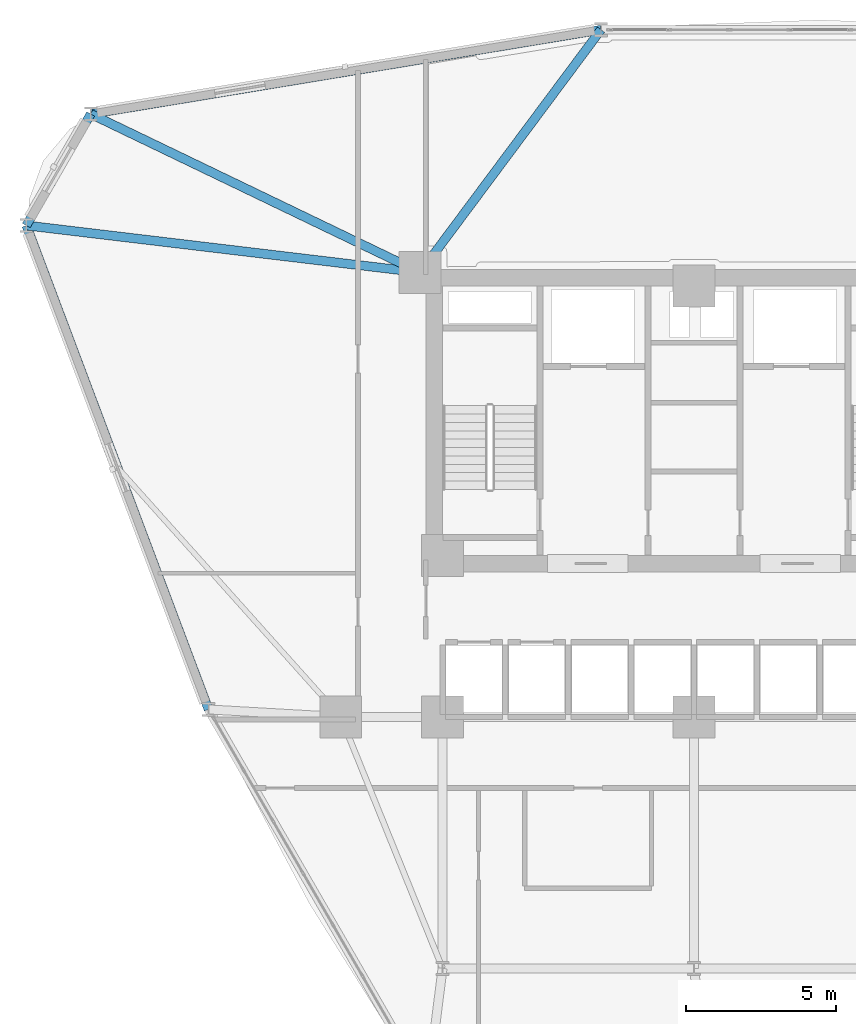
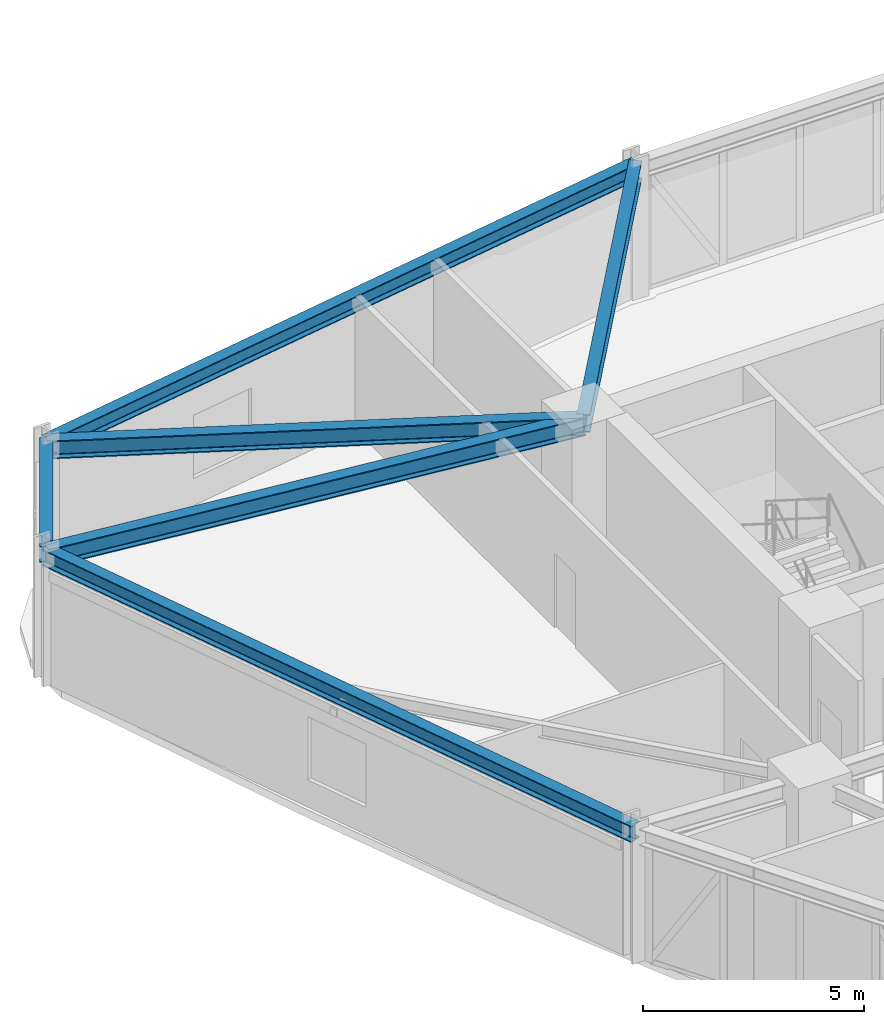
# One storey, part 9 of 20: 6 beams.
"""IFC4 building model written with IfcOpenShell, lengths in metres."""

import ifcopenshell
import ifcopenshell.guid

model = None  # the IFC model being written
_history = None  # IfcOwnerHistory: only IFC2X3 demands one
_inside = {}  # id of a spatial element -> (the spatial element, [elements in it])
_under = {}  # id of a project, library or spatial element -> (it, [spatial elements below it])
_declared = {}  # id of a project -> (the project, [libraries it declares])
_typed = {}  # id of a type object -> (the type object, [elements of that type])
_made_of = {}  # id of a material, layer set ... -> (it, [elements and type objects made of it])


def new_model(schema):
    """Start an empty IFC model of exactly this schema.

    Asked for "IFC4X3", IfcOpenShell would pick the latest addendum, in which some entities
    have other attributes; the version numbers below select the first issue.
    IFC2X3 requires an IfcOwnerHistory on every rooted entity: one is made here for all.
    """
    global model, _history
    if schema == "IFC4X3":
        model = ifcopenshell.file(schema_version=(4, 3, 0, 0))
    else:
        model = ifcopenshell.file(schema=schema)
    _inside.clear()
    _under.clear()
    _declared.clear()
    _typed.clear()
    _made_of.clear()
    _history = None
    if model.schema == "IFC2X3":
        org = make("IfcOrganization", Name="unknown")
        user = make(
            "IfcPersonAndOrganization",
            ThePerson=make("IfcPerson", FamilyName="unknown"),
            TheOrganization=org,
        )
        app = make(
            "IfcApplication",
            ApplicationDeveloper=org,
            Version="unknown",
            ApplicationFullName="unknown",
            ApplicationIdentifier="unknown",
        )
        _history = make(
            "IfcOwnerHistory",
            OwningUser=user,
            OwningApplication=app,
            ChangeAction="ADDED",
            CreationDate=0,
        )
    return model


def make(cls, **values):
    """One entity of the class cls with the attributes given. An attribute that is None is left unset."""
    return model.create_entity(
        cls, **{name: value for name, value in values.items() if value is not None}
    )


def rooted(cls, **values):
    """An entity with a GlobalId (a new one), such as an element, a storey or a relation."""
    return make(cls, GlobalId=ifcopenshell.guid.new(), OwnerHistory=_history, **values)


def si_unit(unit_type, name, prefix=None):
    """IfcSIUnit, for example si_unit("LENGTHUNIT", "METRE", prefix="MILLI")."""
    return make("IfcSIUnit", UnitType=unit_type, Prefix=prefix, Name=name)


def derived_unit(unit_type, elements):
    """IfcDerivedUnit: a product of units, each with its exponent."""
    return make(
        "IfcDerivedUnit",
        Elements=[
            make("IfcDerivedUnitElement", Unit=unit, Exponent=power)
            for unit, power in elements
        ],
        UnitType=unit_type,
    )


def assignment(units):
    """IfcUnitAssignment: the units of a project."""
    return None if units is None else make("IfcUnitAssignment", Units=units)


def point(xyz):
    """IfcCartesianPoint."""
    return None if xyz is None else make("IfcCartesianPoint", Coordinates=xyz)


def direction(xyz):
    """IfcDirection."""
    return None if xyz is None else make("IfcDirection", DirectionRatios=xyz)


def frame(location, z_axis=None, x_axis=None):
    """IfcAxis2Placement3D, a coordinate frame: its origin and axes. An axis left out is left unset."""
    return make(
        "IfcAxis2Placement3D",
        Location=point(location),
        Axis=direction(z_axis),
        RefDirection=direction(x_axis),
    )


def frame_2d(location, x_axis=None):
    """IfcAxis2Placement2D, a coordinate frame in the plane: its origin and x axis."""
    return make(
        "IfcAxis2Placement2D", Location=point(location), RefDirection=direction(x_axis)
    )


def origin():
    """The frame at (0, 0, 0) with its axes left unset."""
    return frame((0.0, 0.0, 0.0))


def origin_2d():
    """The frame at (0, 0) in the plane with its x axis left unset."""
    return frame_2d((0.0, 0.0))


def place(relative_to, where):
    """IfcLocalPlacement: puts the frame where relative to a parent placement (None: the world)."""
    return make(
        "IfcLocalPlacement", PlacementRelTo=relative_to, RelativePlacement=where
    )


def context(
    kind, dimensions, precision=None, world=None, true_north=None, identifier=None
):
    """IfcGeometricRepresentationContext, for example the 3D "Model" context."""
    return make(
        "IfcGeometricRepresentationContext",
        ContextIdentifier=identifier,
        ContextType=kind,
        CoordinateSpaceDimension=dimensions,
        Precision=precision,
        WorldCoordinateSystem=world,
        TrueNorth=true_north,
    )


def subcontext(parent, identifier, kind, view, scale=None):
    """IfcGeometricRepresentationSubContext, for example "Body" below "Model"."""
    return make(
        "IfcGeometricRepresentationSubContext",
        ContextIdentifier=identifier,
        ContextType=kind,
        ParentContext=parent,
        TargetScale=scale,
        TargetView=view,
    )


def project(units=None, contexts=None):
    """IfcProject with its units and contexts."""
    return rooted(
        "IfcProject",
        Name="project",
        RepresentationContexts=contexts,
        UnitsInContext=assignment(units),
    )


def spatial(cls, under=None, at=None, **own):
    """A site, building, storey or space (cls), placed at a placement, below another one or the project."""
    s = rooted(cls, ObjectPlacement=at, **own)
    if under is not None:
        _under.setdefault(under.id(), (under, []))[1].append(s)
    return s


def profile(cls, at=None, kind="AREA", **sizes):
    """A parametric profile (cls). Its sizes go by their IFC names, for example OverallWidth=200.0."""
    return make(cls, ProfileType=kind, Position=at, **sizes)


def i_section(**sizes):
    """IfcIShapeProfileDef."""
    return profile("IfcIShapeProfileDef", **sizes)


def extrude(swept, where, along, depth):
    """IfcExtrudedAreaSolid: the profile swept, set in the frame where, extruded along a direction by depth."""
    return make(
        "IfcExtrudedAreaSolid",
        SweptArea=swept,
        Position=where,
        ExtrudedDirection=direction(along),
        Depth=depth,
    )


def shape(context_of_items, identifier, shape_type, items):
    """IfcShapeRepresentation: the items that make up one representation, for example the "Body"."""
    return make(
        "IfcShapeRepresentation",
        ContextOfItems=context_of_items,
        RepresentationIdentifier=identifier,
        RepresentationType=shape_type,
        Items=items,
    )


def source(mapping_origin, context_of_items, identifier, shape_type, items):
    """IfcRepresentationMap: a shape defined once, which mapped items show again and again."""
    return make(
        "IfcRepresentationMap",
        MappingOrigin=mapping_origin,
        MappedRepresentation=shape(context_of_items, identifier, shape_type, items),
    )


def transform(
    local_origin,
    x_axis=None,
    y_axis=None,
    z_axis=None,
    scale=None,
    scale2=None,
    scale3=None,
    uniform=True,
):
    """IfcCartesianTransformationOperator3D, or its non-uniform kind. x_axis, y_axis, z_axis: its Axis1, 2, 3."""
    if uniform:
        return make(
            "IfcCartesianTransformationOperator3D",
            Axis1=direction(x_axis),
            Axis2=direction(y_axis),
            LocalOrigin=point(local_origin),
            Scale=scale,
            Axis3=direction(z_axis),
        )
    return make(
        "IfcCartesianTransformationOperator3DnonUniform",
        Axis1=direction(x_axis),
        Axis2=direction(y_axis),
        LocalOrigin=point(local_origin),
        Scale=scale,
        Axis3=direction(z_axis),
        Scale2=scale2,
        Scale3=scale3,
    )


def mapped(mapping_source, mapping_target):
    """IfcMappedItem: shows the shape of a source again, moved by a transform."""
    return make(
        "IfcMappedItem", MappingSource=mapping_source, MappingTarget=mapping_target
    )


def material(Name=None, Category=None):
    """IfcMaterial."""
    return make("IfcMaterial", Name=Name, Category=Category)


def material_profile(
    of_material, cross_section, Name=None, Category=None, Priority=None
):
    """IfcMaterialProfile: a cross section and its material."""
    return make(
        "IfcMaterialProfile",
        Name=Name,
        Material=of_material,
        Profile=cross_section,
        Priority=Priority,
        Category=Category,
    )


def profile_set(profiles, Name=None, composite=None):
    """IfcMaterialProfileSet."""
    return make(
        "IfcMaterialProfileSet",
        Name=Name,
        MaterialProfiles=profiles,
        CompositeProfile=composite,
    )


def made_of(thing, what):
    """Note that an element or type object is made of a material, layer set ...; save() writes the relation."""
    if what is not None:
        _made_of.setdefault(what.id(), (what, []))[1].append(thing)
    return thing


def type_object(cls, material=None, **own):
    """A type object (cls), such as IfcWallType, which elements share."""
    return made_of(rooted(cls, **own), material)


def element(
    cls,
    number,
    at=None,
    inside=None,
    cuts=None,
    type_object=None,
    material=None,
    context=None,
    identifier="Body",
    shape_type=None,
    held_by="IfcProductDefinitionShape",
    body=None,
    shapes=None,
    **own,
):
    """One element of the class cls, such as IfcWall. Its Tag is "e" and its number.

    at: its placement. inside: the storey or other place that contains it. cuts: it is an
    opening in that element (IfcRelVoidsElement). A single representation is given by context,
    identifier, shape_type and body (its items); several are given by shapes. held_by: the class
    of the entity that holds the representations. save() writes the other relations.
    """
    e = rooted(cls, Tag="e%d" % number, ObjectPlacement=at, **own)
    if body is not None:
        shapes = [shape(context, identifier, shape_type, body)]
    if shapes is not None:
        e.Representation = make(held_by, Representations=shapes)
    if inside is not None:
        _inside.setdefault(inside.id(), (inside, []))[1].append(e)
    if cuts is not None:
        rooted(
            "IfcRelVoidsElement", RelatingBuildingElement=cuts, RelatedOpeningElement=e
        )
    if type_object is not None:
        _typed.setdefault(type_object.id(), (type_object, []))[1].append(e)
    return made_of(e, material)


def aggregate(whole, parts):
    """IfcRelAggregates: a whole, such as a stair, and the parts it consists of."""
    return rooted("IfcRelAggregates", RelatingObject=whole, RelatedObjects=parts)


def save(model, path):
    """Write the relations noted so far, then the file.

    IfcRelAggregates (storeys below a building ...), IfcRelContainedInSpatialStructure (elements
    in a storey), IfcRelDefinesByType, IfcRelAssociatesMaterial and IfcRelDeclares: one each for
    every whole, place, type object, material and project.
    """
    for whole, parts in _under.values():
        aggregate(whole, parts)
    for where, things in _inside.values():
        rooted(
            "IfcRelContainedInSpatialStructure",
            RelatedElements=things,
            RelatingStructure=where,
        )
    for kind, things in _typed.values():
        rooted("IfcRelDefinesByType", RelatedObjects=things, RelatingType=kind)
    for what, things in _made_of.values():
        rooted("IfcRelAssociatesMaterial", RelatedObjects=things, RelatingMaterial=what)
    for by, libraries in _declared.values():
        rooted("IfcRelDeclares", RelatingContext=by, RelatedDefinitions=libraries)
    model.write(path)


model = new_model("IFC4")

# Units and contexts
model_context = context("Model", 3, precision=1e-05, world=origin(), true_north=direction((0.0, 1.0)))
body_context = subcontext(model_context, "Body", "Model", "MODEL_VIEW")
ifc_project = project(units=[si_unit("LENGTHUNIT", "METRE"), si_unit("AREAUNIT", "SQUARE_METRE"), si_unit("VOLUMEUNIT", "CUBIC_METRE"), si_unit("PLANEANGLEUNIT", "RADIAN"), si_unit("MASSUNIT", "GRAM", prefix="KILO"), derived_unit("THERMALTRANSMITTANCEUNIT", [(si_unit("POWERUNIT", "WATT"), 1), (si_unit("LENGTHUNIT", "METRE"), -2), (si_unit("THERMODYNAMICTEMPERATUREUNIT", "KELVIN"), -1)])], contexts=[model_context])

# Site, building, storey
site_placement = place(None, origin())
site = spatial("IfcSite", under=ifc_project, at=site_placement, CompositionType="ELEMENT")
building_placement = place(site_placement, origin())
building = spatial("IfcBuilding", under=site, at=building_placement, Name="Korsvarv Bourse and Concert Hall", CompositionType="ELEMENT")
storey_placement = place(building_placement, frame((0.0, 0.0, 87.300048828125)))
storey = spatial("IfcBuildingStorey", under=building, at=storey_placement, Name="L21", CompositionType="ELEMENT", Elevation=87.300048828125)

# Beams
ifc_material = material(Name="Steel S355", Category="steel")
ifc_material_profile_1 = material_profile(ifc_material, i_section(OverallWidth=0.300048828125, OverallDepth=0.449951171875, WebThickness=0.013916015625, FlangeThickness=0.02587890625, FilletRadius=0.02099609375, at=origin_2d()), Name="HEB 450")
ifc_profile_set_1 = profile_set([ifc_material_profile_1], Name="Steel S355")
beam_type_1 = type_object("IfcBeamType", Name="BM-HEB450", PredefinedType="SPANDREL", material=ifc_profile_set_1)
shared_shape_1 = source(origin(), body_context, "Body", "SweptSolid", [
    extrude(i_section(OverallWidth=0.300048828125, OverallDepth=0.449951171875, WebThickness=0.013916015625, FlangeThickness=0.02587890625, FilletRadius=0.02099609375, at=origin_2d()), origin(), (0.0, 0.0, 1.0), 17.276123046875),
])
beam_1_placement = place(storey_placement, frame((13.695068359375, 48.819580078125, 3.454833984375), z_axis=(0.352273841442, -0.935896971165, 0.0), x_axis=(0.935896971165, 0.352273841442, 0.0)))
element("IfcBeam", 1, at=beam_1_placement, inside=storey, type_object=beam_type_1, Name="L21 beam B-08", PredefinedType="SPANDREL", context=body_context, shape_type="MappedRepresentation", body=[
    mapped(shared_shape_1, transform((0.0, 0.0, 0.0), scale=1.0)),
])
shared_shape_2 = source(origin(), body_context, "Body", "SweptSolid", [
    extrude(i_section(OverallWidth=0.300048828125, OverallDepth=0.449951171875, WebThickness=0.013916015625, FlangeThickness=0.02587890625, FilletRadius=0.02099609375, at=origin_2d()), origin(), (0.0, 0.0, 1.0), 17.2763671875),
])
beam_2_placement = place(storey_placement, frame((32.89111328125, 55.35791015625, 3.454833984375), z_axis=(-0.986648245525, -0.162865710332, 0.0), x_axis=(0.162865710332, -0.986648245525, 0.0)))
element("IfcBeam", 2, at=beam_2_placement, inside=storey, type_object=beam_type_1, Name="L21 beam B-08", PredefinedType="SPANDREL", context=body_context, shape_type="MappedRepresentation", body=[
    mapped(shared_shape_2, transform((0.0, 0.0, 0.0), scale=1.0)),
])
shared_shape_3 = source(origin(), body_context, "Body", "SweptSolid", [
    extrude(i_section(OverallWidth=0.300048828125, OverallDepth=0.449951171875, WebThickness=0.013916015625, FlangeThickness=0.02587890625, FilletRadius=0.02099609375, at=origin_2d()), origin(), (0.0, 0.0, 1.0), 4.30078125),
])
beam_3_placement = place(storey_placement, frame((15.845458984375, 52.544189453125, 3.454833984375), z_axis=(-0.499997628298, -0.866026773083, 0.0), x_axis=(0.866026773083, -0.499997628298, 0.0)))
element("IfcBeam", 3, at=beam_3_placement, inside=storey, type_object=beam_type_1, Name="L21 beam B-08", PredefinedType="SPANDREL", context=body_context, shape_type="MappedRepresentation", body=[
    mapped(shared_shape_3, transform((0.0, 0.0, 0.0), scale=1.0)),
])
ifc_material_profile_2 = material_profile(ifc_material, i_section(OverallWidth=0.300048828125, OverallDepth=0.5, WebThickness=0.014404296875, FlangeThickness=0.028076171875, FilletRadius=0.02392578125, at=origin_2d()), Name="HEB 500")
ifc_profile_set_2 = profile_set([ifc_material_profile_2], Name="Steel S355")
beam_type_2 = type_object("IfcBeamType", Name="BM-HEB500", PredefinedType="BEAM", material=ifc_profile_set_2)
shared_shape_4 = source(origin(), body_context, "Body", "SweptSolid", [
    extrude(i_section(OverallWidth=0.300048828125, OverallDepth=0.5, WebThickness=0.014404296875, FlangeThickness=0.028076171875, FilletRadius=0.02392578125, at=origin_2d()), origin(), (0.0, 0.0, 1.0), 10.111083984375),
])
beam_4_placement = place(storey_placement, frame((32.89111328125, 55.35791015625, 3.429931640625), z_axis=(-0.597470362731, -0.801890993626, 0.0), x_axis=(0.801890993626, -0.597470362731, 0.0)))
element("IfcBeam", 4, at=beam_4_placement, inside=storey, type_object=beam_type_2, Name="L21 beam B-07", PredefinedType="BEAM", context=body_context, shape_type="MappedRepresentation", body=[
    mapped(shared_shape_4, transform((0.0, 0.0, 0.0), scale=1.0)),
])
shared_shape_5 = source(origin(), body_context, "Body", "SweptSolid", [
    extrude(i_section(OverallWidth=0.300048828125, OverallDepth=0.5, WebThickness=0.014404296875, FlangeThickness=0.028076171875, FilletRadius=0.02392578125, at=origin_2d()), origin(), (0.0, 0.0, 1.0), 12.2119140625),
])
beam_5_placement = place(storey_placement, frame((15.845458984375, 52.544189453125, 3.429931640625), z_axis=(0.901140543649, -0.433527070195, 0.0), x_axis=(0.433527070195, 0.901140543649, 0.0)))
element("IfcBeam", 5, at=beam_5_placement, inside=storey, type_object=beam_type_2, Name="L21 beam B-07", PredefinedType="BEAM", context=body_context, shape_type="MappedRepresentation", body=[
    mapped(shared_shape_5, transform((0.0, 0.0, 0.0), scale=1.0)),
])
shared_shape_6 = source(origin(), body_context, "Body", "SweptSolid", [
    extrude(i_section(OverallWidth=0.300048828125, OverallDepth=0.5, WebThickness=0.014404296875, FlangeThickness=0.028076171875, FilletRadius=0.02392578125, at=origin_2d()), origin(), (0.0, 0.0, 1.0), 13.248291015625),
])
beam_6_placement = place(storey_placement, frame((13.695068359375, 48.819580078125, 3.429931640625), z_axis=(0.992957183196, -0.11847376224, 0.0), x_axis=(0.11847376224, 0.992957183196, 0.0)))
element("IfcBeam", 6, at=beam_6_placement, inside=storey, type_object=beam_type_2, Name="L21 beam B-07", PredefinedType="BEAM", context=body_context, shape_type="MappedRepresentation", body=[
    mapped(shared_shape_6, transform((0.0, 0.0, 0.0), scale=1.0)),
])

save(model, "model.ifc")
